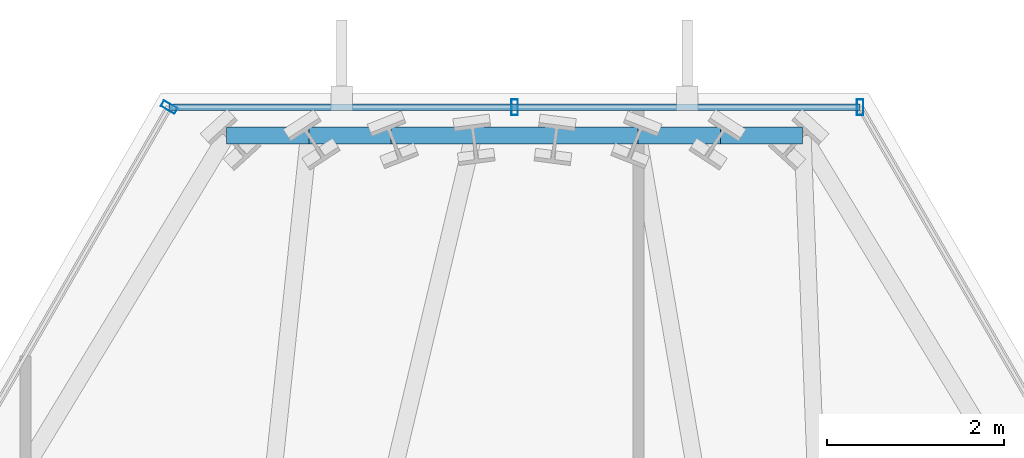
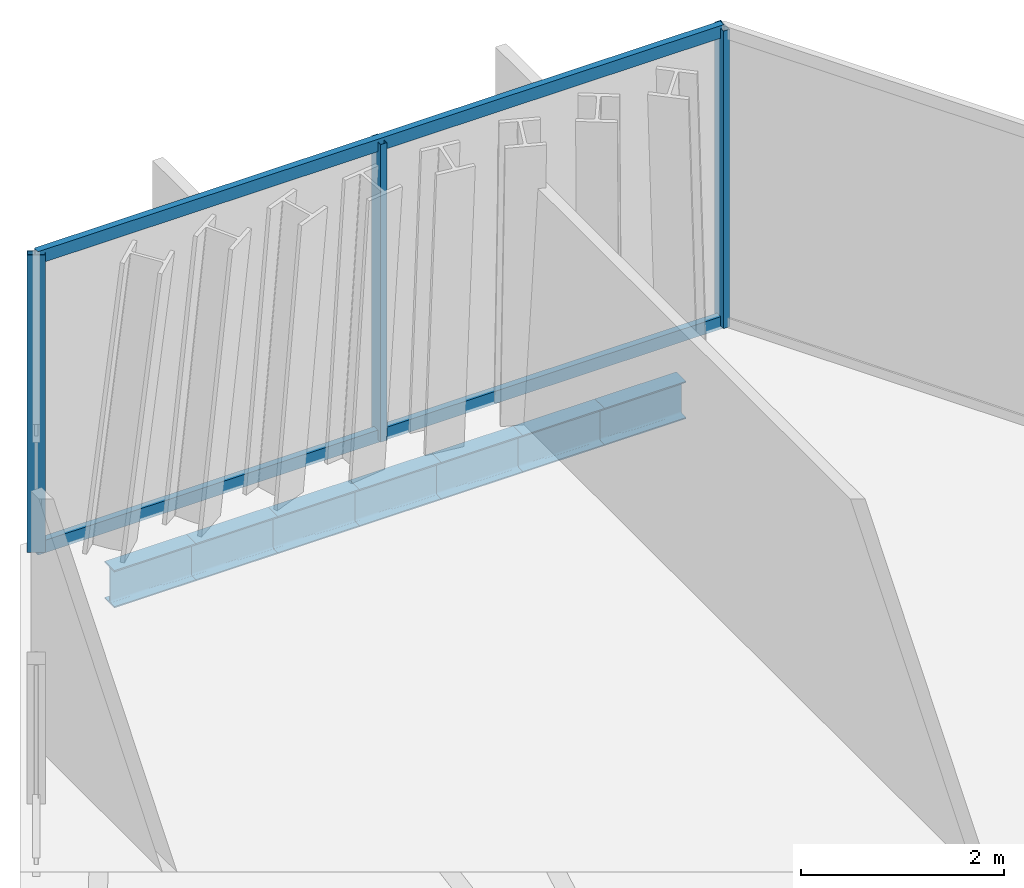
# One storey, part 22 of 30: 7 beams, 5 members, 2 elements without a shape of their own.
"""IFC4 building model written with IfcOpenShell, lengths in metres."""

from ifc_helpers import new_model, si_unit, direction, frame, origin, origin_2d, place, context, subcontext, project, spatial, hollow_rectangle, i_section, extrude, material, layer, layer_set, material_profile, profile_set, type_object, element, aggregate, save


model = new_model("IFC4")

# Units and contexts
model_context = context("Model", 3, precision=1e-05, world=origin(), true_north=direction((0.0, 1.0)))
body_context = subcontext(model_context, "Body", "Model", "MODEL_VIEW")
ifc_project = project(units=[si_unit("LENGTHUNIT", "METRE"), si_unit("AREAUNIT", "SQUARE_METRE"), si_unit("VOLUMEUNIT", "CUBIC_METRE"), si_unit("PLANEANGLEUNIT", "RADIAN"), si_unit("MASSUNIT", "GRAM", prefix="KILO")], contexts=[model_context])

# Site, building, storey
site_placement = place(None, origin())
site = spatial("IfcSite", under=ifc_project, at=site_placement, CompositionType="ELEMENT")
building_placement = place(site_placement, origin())
building = spatial("IfcBuilding", under=site, at=building_placement, Name="Ndaravel Arena Tower", CompositionType="ELEMENT")
storey_placement = place(building_placement, frame((0.0, 0.0, 225.60009765625)))
storey = spatial("IfcBuildingStorey", under=building, at=storey_placement, Name="L54", CompositionType="ELEMENT", Elevation=225.60009765625)

# Beams
ifc_material_1 = material(Name="Steel S355", Category="steel")
ifc_material_profile_1 = material_profile(ifc_material_1, i_section(OverallWidth=0.18994140625, OverallDepth=0.449951171875, WebThickness=0.009521484375, FlangeThickness=0.0146484375, FilletRadius=0.02099609375, at=origin_2d()), Name="IPE 450")
ifc_profile_set_1 = profile_set([ifc_material_profile_1], Name="Steel S355")
beam_type = type_object("IfcBeamType", Name="BM-SPAN-IPE450", PredefinedType="SPANDREL", material=ifc_profile_set_1)
beam_1_placement = place(storey_placement, frame((45.25244140625, 45.2578125, -0.445068359375), z_axis=(-1.0, 0.0, 0.0), x_axis=(0.0, -1.0, 0.0)))
element("IfcBeam", 1, at=beam_1_placement, inside=storey, type_object=beam_type, Name="L54 Perimeter Spandrel Beam SP-11", PredefinedType="SPANDREL", context=body_context, shape_type="SweptSolid", body=[
    extrude(i_section(OverallWidth=0.18994140625, OverallDepth=0.449951171875, WebThickness=0.009521484375, FlangeThickness=0.0146484375, FilletRadius=0.02099609375, at=origin_2d()), origin(), (0.0, 0.0, 1.0), 0.92919921875),
])
beam_2_placement = place(storey_placement, frame((44.3232421875, 45.2578125, -0.445068359375), z_axis=(-1.0, 0.0, 0.0), x_axis=(0.0, -1.0, 0.0)))
element("IfcBeam", 2, at=beam_2_placement, inside=storey, type_object=beam_type, Name="L54 Perimeter Spandrel Beam SP-12", PredefinedType="SPANDREL", context=body_context, shape_type="SweptSolid", body=[
    extrude(i_section(OverallWidth=0.18994140625, OverallDepth=0.449951171875, WebThickness=0.009521484375, FlangeThickness=0.0146484375, FilletRadius=0.02099609375, at=origin_2d()), origin(), (0.0, 0.0, 1.0), 0.929443359375),
])
for number, where, z_axis, x_axis, name in (
    (3, (43.393798828125, 45.2578125, -0.445068359375), (-1.0, 0.0, 0.0), (0.0, -1.0, 0.0), "L54 Perimeter Spandrel Beam SP-13"),
    (4, (42.464599609375, 45.2578125, -0.445068359375), (-1.0, 0.0, 0.0), (0.0, -1.0, 0.0), "L54 Perimeter Spandrel Beam SP-14"),
    (5, (41.535400390625, 45.2578125, -0.445068359375), (-1.0, 0.0, 0.0), (0.0, -1.0, 0.0), "L54 Perimeter Spandrel Beam SP-15"),
):
    element("IfcBeam", number, at=place(storey_placement, frame(where, z_axis=z_axis, x_axis=x_axis)), inside=storey, type_object=beam_type, Name=name, PredefinedType="SPANDREL", context=body_context, shape_type="SweptSolid", body=[
        extrude(i_section(OverallWidth=0.18994140625, OverallDepth=0.449951171875, WebThickness=0.009521484375, FlangeThickness=0.0146484375, FilletRadius=0.02099609375, at=origin_2d()), origin(), (0.0, 0.0, 1.0), 0.92919921875),
    ])
beam_3_placement = place(storey_placement, frame((40.606201171875, 45.2578125, -0.445068359375), z_axis=(-1.0, 0.0, 0.0), x_axis=(0.0, -1.0, 0.0)))
element("IfcBeam", 6, at=beam_3_placement, inside=storey, type_object=beam_type, Name="L54 Perimeter Spandrel Beam SP-16", PredefinedType="SPANDREL", context=body_context, shape_type="SweptSolid", body=[
    extrude(i_section(OverallWidth=0.18994140625, OverallDepth=0.449951171875, WebThickness=0.009521484375, FlangeThickness=0.0146484375, FilletRadius=0.02099609375, at=origin_2d()), origin(), (0.0, 0.0, 1.0), 0.929443359375),
])
beam_4_placement = place(storey_placement, frame((39.6767578125, 45.2578125, -0.445068359375), z_axis=(-1.0, 0.0, 0.0), x_axis=(0.0, -1.0, 0.0)))
element("IfcBeam", 7, at=beam_4_placement, inside=storey, type_object=beam_type, Name="L54 Perimeter Spandrel Beam SP-17", PredefinedType="SPANDREL", context=body_context, shape_type="SweptSolid", body=[
    extrude(i_section(OverallWidth=0.18994140625, OverallDepth=0.449951171875, WebThickness=0.009521484375, FlangeThickness=0.0146484375, FilletRadius=0.02099609375, at=origin_2d()), origin(), (0.0, 0.0, 1.0), 0.92919921875),
])

# Curtain wall, members
ifc_material_2 = material(Name="Aluminium", Category="aluminium")
ifc_layer_1 = layer(ifc_material_2, 0.179931640625)
ifc_layer_set_1 = layer_set([ifc_layer_1], Name="Aluminium")
curtain_wall_type_1 = type_object("IfcCurtainWallType", Name="CW-SYS-01", PredefinedType="NOTDEFINED", material=ifc_layer_set_1)
curtain_wall_1_placement = place(storey_placement, origin())
curtain_wall_1 = element("IfcCurtainWall", 8, at=curtain_wall_1_placement, inside=storey, type_object=curtain_wall_type_1, Name="L54 Faceted Crystal Curtain Wall CW-L54-E04", PredefinedType="NOTDEFINED")
ifc_material_3 = material(Name="Aluminium", Category="aluminium")
ifc_material_profile_2 = material_profile(ifc_material_3, hollow_rectangle(XDim=0.074951171875, YDim=0.179931640625, WallThickness=0.00390625, at=origin_2d()), Name="CW MULLION 75x180x4")
ifc_profile_set_2 = profile_set([ifc_material_profile_2], Name="Aluminium")
member_type_1 = type_object("IfcMemberType", Name="MEM-CW-MUL180", PredefinedType="MULLION", material=ifc_profile_set_2)
member_1_placement = place(storey_placement, frame((45.90185546875, 45.57763671875, 0.0), z_axis=(0.0, 0.0, 1.0), x_axis=(-1.0, 0.0, 0.0)))
member_1 = element("IfcMember", 9, at=member_1_placement, type_object=member_type_1, Name="CW-L54-E04 Mullion 00", PredefinedType="MULLION", context=body_context, shape_type="SweptSolid", body=[
    extrude(hollow_rectangle(XDim=0.074951171875, YDim=0.179931640625, WallThickness=0.00390625, at=origin_2d()), origin(), (0.0, 0.0, 1.0), 3.579833984375),
])
member_2_placement = place(storey_placement, frame((42.0, 45.57763671875, 0.0), z_axis=(0.0, 0.0, 1.0), x_axis=(-1.0, 0.0, 0.0)))
member_2 = element("IfcMember", 10, at=member_2_placement, type_object=member_type_1, Name="CW-L54-E04 Mullion 01", PredefinedType="MULLION", context=body_context, shape_type="SweptSolid", body=[
    extrude(hollow_rectangle(XDim=0.074951171875, YDim=0.179931640625, WallThickness=0.00390625, at=origin_2d()), origin(), (0.0, 0.0, 1.0), 3.579833984375),
])

# Curtain wall, member
ifc_material_4 = material(Name="Aluminium", Category="aluminium")
ifc_layer_2 = layer(ifc_material_4, 0.179931640625)
ifc_layer_set_2 = layer_set([ifc_layer_2], Name="Aluminium")
curtain_wall_type_2 = type_object("IfcCurtainWallType", Name="CW-SYS-03", PredefinedType="NOTDEFINED", material=ifc_layer_set_2)
curtain_wall_2_placement = place(storey_placement, origin())
curtain_wall_2 = element("IfcCurtainWall", 11, at=curtain_wall_2_placement, inside=storey, type_object=curtain_wall_type_2, Name="L54 Faceted Crystal Curtain Wall CW-L54-E05", PredefinedType="NOTDEFINED")
member_3_placement = place(storey_placement, frame((38.09814453125, 45.57763671875, 0.0), z_axis=(0.0, 0.0, 1.0), x_axis=(-0.5, -0.866025403784, 0.0)))
member_3 = element("IfcMember", 12, at=member_3_placement, type_object=member_type_1, Name="CW-L54-E05 Mullion 00", PredefinedType="MULLION", context=body_context, shape_type="SweptSolid", body=[
    extrude(hollow_rectangle(XDim=0.074951171875, YDim=0.179931640625, WallThickness=0.00390625, at=origin_2d()), origin(), (0.0, 0.0, 1.0), 3.579833984375),
])
aggregate(curtain_wall_2, [member_3])

# Member
ifc_material_5 = material(Name="Aluminium", Category="aluminium")
ifc_material_profile_3 = material_profile(ifc_material_5, hollow_rectangle(XDim=0.074951171875, YDim=0.14990234375, WallThickness=0.00390625, at=origin_2d()), Name="CW TRANSOM 75x150x4")
ifc_profile_set_3 = profile_set([ifc_material_profile_3], Name="Aluminium")
member_type_2 = type_object("IfcMemberType", Name="MEM-CW-TRN150", PredefinedType="USERDEFINED", material=ifc_profile_set_3)
member_4_placement = place(storey_placement, frame((45.90185546875, 45.57763671875, 0.039794921875), z_axis=(-1.0, 0.0, 0.0), x_axis=(0.0, -1.0, 0.0)))
member_4 = element("IfcMember", 13, at=member_4_placement, type_object=member_type_2, Name="CW-L54-E04 Transom 01", ObjectType="TRANSOM", PredefinedType="USERDEFINED", context=body_context, shape_type="SweptSolid", body=[
    extrude(hollow_rectangle(XDim=0.074951171875, YDim=0.14990234375, WallThickness=0.00390625, at=origin_2d()), origin(), (0.0, 0.0, 1.0), 7.8037109375),
])

member_5_placement = place(storey_placement, frame((45.90185546875, 45.57763671875, 3.539794921875), z_axis=(-1.0, 0.0, 0.0), x_axis=(0.0, -1.0, 0.0)))
member_5 = element("IfcMember", 14, at=member_5_placement, type_object=member_type_2, Name="CW-L54-E04 Transom 02", ObjectType="TRANSOM", PredefinedType="USERDEFINED", context=body_context, shape_type="SweptSolid", body=[
    extrude(hollow_rectangle(XDim=0.074951171875, YDim=0.14990234375, WallThickness=0.00390625, at=origin_2d()), origin(), (0.0, 0.0, 1.0), 7.8037109375),
])

aggregate(curtain_wall_1, [member_1, member_2, member_4, member_5])

save(model, "model.ifc")
